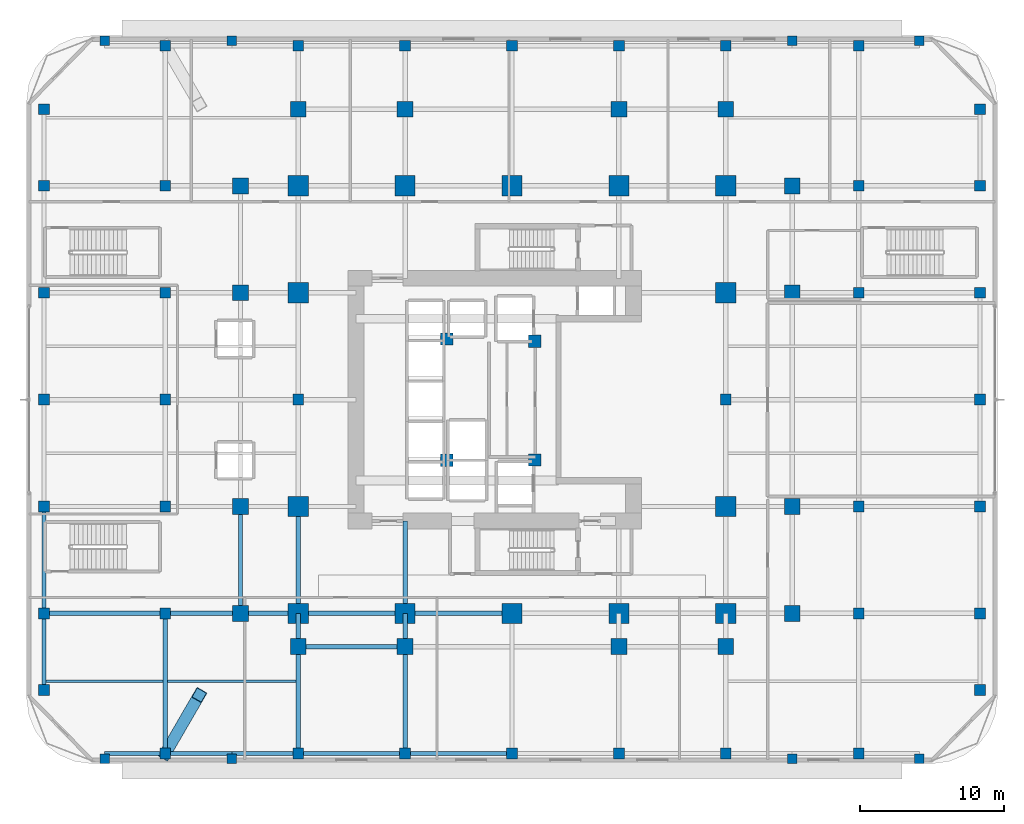
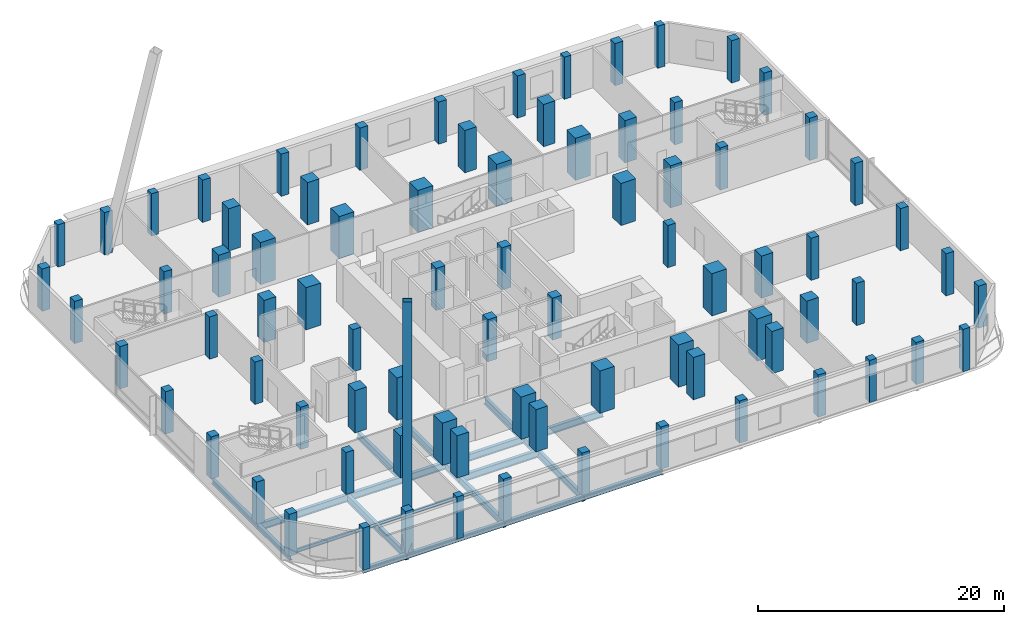
# One storey, part 1 of 19: 81 columns, 23 beams, 1 member.
"""IFC4 building model written with IfcOpenShell, lengths in metres."""

from ifc_helpers import new_model, si_unit, direction, frame, origin, origin_2d, place, context, subcontext, project, spatial, rectangle, hollow_rectangle, i_section, extrude, material, material_profile, profile_set, type_object, element, save


model = new_model("IFC4")

# Units and contexts
model_context = context("Model", 3, precision=1e-05, world=origin(), true_north=direction((0.0, 1.0)))
body_context = subcontext(model_context, "Body", "Model", "MODEL_VIEW")
ifc_project = project(units=[si_unit("LENGTHUNIT", "METRE"), si_unit("AREAUNIT", "SQUARE_METRE"), si_unit("VOLUMEUNIT", "CUBIC_METRE"), si_unit("PLANEANGLEUNIT", "RADIAN"), si_unit("MASSUNIT", "GRAM", prefix="KILO")], contexts=[model_context])

# Site, building, storey
site_placement = place(None, origin())
site = spatial("IfcSite", under=ifc_project, at=site_placement, CompositionType="ELEMENT")
building_placement = place(site_placement, origin())
building = spatial("IfcBuilding", under=site, at=building_placement, Name="Khorvyn Point Tower", CompositionType="ELEMENT")
storey_placement = place(building_placement, frame((0.0, 0.0, 4.800048828125)))
storey = spatial("IfcBuildingStorey", under=building, at=storey_placement, Name="L02", CompositionType="ELEMENT", Elevation=4.800048828125)

# Columns
ifc_material_1 = material(Name="Concrete C40/50", Category="concrete")
ifc_material_profile_1 = material_profile(ifc_material_1, rectangle(XDim=0.75, YDim=0.75, at=origin_2d()))
ifc_profile_set_1 = profile_set([ifc_material_profile_1], Name="Concrete C40/50 RC750x750")
column_type_1 = type_object("IfcColumnType", Name="Concrete C40/50 Column RC750x750", PredefinedType="COLUMN", material=ifc_profile_set_1)
for number, where, z_axis, x_axis, name in (
    (1, (-32.39990234375, -14.800048828125, 0.0), (0.0, 0.0, 1.0), (1.0, 0.0, 0.0), "PC-L02--324--148"),
    (2, (-32.39990234375, -7.39990234375, 0.0), (0.0, 0.0, 1.0), (1.0, 0.0, 0.0), "PC-L02--324--074"),
    (3, (-32.39990234375, 0.0, 0.0), (0.0, 0.0, 1.0), (1.0, 0.0, 0.0), "PC-L02--324-+000"),
    (4, (-32.39990234375, 7.39990234375, 0.0), (0.0, 0.0, 1.0), (1.0, 0.0, 0.0), "PC-L02--324-+074"),
    (5, (-32.39990234375, 14.800048828125, 0.0), (0.0, 0.0, 1.0), (1.0, 0.0, 0.0), "PC-L02--324-+148"),
    (6, (-24.0, -24.5, 0.0), (0.0, 0.0, 1.0), (1.0, 0.0, 0.0), "PC-L02--240--245"),
    (7, (-24.0, -14.800048828125, 0.0), (0.0, 0.0, 1.0), (1.0, 0.0, 0.0), "PC-L02--240--148"),
    (8, (-24.0, -7.39990234375, 0.0), (0.0, 0.0, 1.0), (1.0, 0.0, 0.0), "PC-L02--240--074"),
    (9, (-24.0, 0.0, 0.0), (0.0, 0.0, 1.0), (1.0, 0.0, 0.0), "PC-L02--240-+000"),
    (10, (-24.0, 7.39990234375, 0.0), (0.0, 0.0, 1.0), (1.0, 0.0, 0.0), "PC-L02--240-+074"),
    (11, (-24.0, 14.800048828125, 0.0), (0.0, 0.0, 1.0), (1.0, 0.0, 0.0), "PC-L02--240-+148"),
    (12, (-24.0, 24.5, 0.0), (0.0, 0.0, 1.0), (1.0, 0.0, 0.0), "PC-L02--240-+245"),
    (13, (-14.800048828125, -24.5, 0.0), (0.0, 0.0, 1.0), (1.0, 0.0, 0.0), "PC-L02--148--245"),
    (14, (-14.800048828125, 0.0, 0.0), (0.0, 0.0, 1.0), (1.0, 0.0, 0.0), "PC-L02--148-+000"),
    (15, (-14.800048828125, 24.5, 0.0), (0.0, 0.0, 1.0), (1.0, 0.0, 0.0), "PC-L02--148-+245"),
    (16, (-7.39990234375, -24.5, 0.0), (0.0, 0.0, 1.0), (1.0, 0.0, 0.0), "PC-L02--074--245"),
    (17, (-7.39990234375, 24.5, 0.0), (0.0, 0.0, 1.0), (1.0, 0.0, 0.0), "PC-L02--074-+245"),
    (18, (0.0, -24.5, 0.0), (0.0, 0.0, 1.0), (1.0, 0.0, 0.0), "PC-L02-+000--245"),
    (19, (0.0, 24.5, 0.0), (0.0, 0.0, 1.0), (1.0, 0.0, 0.0), "PC-L02-+000-+245"),
    (20, (7.39990234375, -24.5, 0.0), (0.0, 0.0, 1.0), (1.0, 0.0, 0.0), "PC-L02-+074--245"),
    (21, (7.39990234375, 24.5, 0.0), (0.0, 0.0, 1.0), (1.0, 0.0, 0.0), "PC-L02-+074-+245"),
    (22, (14.800048828125, -24.5, 0.0), (0.0, 0.0, 1.0), (1.0, 0.0, 0.0), "PC-L02-+148--245"),
    (23, (14.800048828125, 0.0, 0.0), (0.0, 0.0, 1.0), (1.0, 0.0, 0.0), "PC-L02-+148-+000"),
    (24, (14.800048828125, 24.5, 0.0), (0.0, 0.0, 1.0), (1.0, 0.0, 0.0), "PC-L02-+148-+245"),
    (25, (24.0, -24.5, 0.0), (0.0, 0.0, 1.0), (1.0, 0.0, 0.0), "PC-L02-+240--245"),
    (26, (24.0, -14.800048828125, 0.0), (0.0, 0.0, 1.0), (1.0, 0.0, 0.0), "PC-L02-+240--148"),
    (27, (24.0, -7.39990234375, 0.0), (0.0, 0.0, 1.0), (1.0, 0.0, 0.0), "PC-L02-+240--074"),
    (28, (24.0, 7.39990234375, 0.0), (0.0, 0.0, 1.0), (1.0, 0.0, 0.0), "PC-L02-+240-+074"),
    (29, (24.0, 14.800048828125, 0.0), (0.0, 0.0, 1.0), (1.0, 0.0, 0.0), "PC-L02-+240-+148"),
    (30, (24.0, 24.5, 0.0), (0.0, 0.0, 1.0), (1.0, 0.0, 0.0), "PC-L02-+240-+245"),
    (31, (32.39990234375, -14.800048828125, 0.0), (0.0, 0.0, 1.0), (1.0, 0.0, 0.0), "PC-L02-+324--148"),
    (32, (32.39990234375, -7.39990234375, 0.0), (0.0, 0.0, 1.0), (1.0, 0.0, 0.0), "PC-L02-+324--074"),
    (33, (32.39990234375, 0.0, 0.0), (0.0, 0.0, 1.0), (1.0, 0.0, 0.0), "PC-L02-+324-+000"),
    (34, (32.39990234375, 7.39990234375, 0.0), (0.0, 0.0, 1.0), (1.0, 0.0, 0.0), "PC-L02-+324-+074"),
    (35, (32.39990234375, 14.800048828125, 0.0), (0.0, 0.0, 1.0), (1.0, 0.0, 0.0), "PC-L02-+324-+148"),
    (36, (-32.39990234375, -20.10009765625, 0.0), (0.0, 0.0, 1.0), (1.0, 0.0, 0.0), "PCR-L02--32--20"),
    (37, (-32.39990234375, 20.10009765625, 0.0), (0.0, 0.0, 1.0), (1.0, 0.0, 0.0), "PCR-L02--32-+20"),
    (38, (32.39990234375, -20.10009765625, 0.0), (0.0, 0.0, 1.0), (1.0, 0.0, 0.0), "PCR-L02-+32--20"),
    (39, (32.39990234375, 20.10009765625, 0.0), (0.0, 0.0, 1.0), (1.0, 0.0, 0.0), "PCR-L02-+32-+20"),
):
    element("IfcColumn", number, at=place(storey_placement, frame(where, z_axis=z_axis, x_axis=x_axis)), inside=storey, type_object=column_type_1, Name=name, PredefinedType="COLUMN", context=body_context, shape_type="SweptSolid", body=[
        extrude(rectangle(XDim=0.75, YDim=0.75, at=origin_2d()), origin(), (0.0, 0.0, 1.0), 4.199951171875),
    ])
ifc_material_profile_2 = material_profile(ifc_material_1, rectangle(XDim=0.85009765625, YDim=0.85009765625, at=origin_2d()))
ifc_profile_set_2 = profile_set([ifc_material_profile_2], Name="Concrete C40/50 RC850x850")
column_type_2 = type_object("IfcColumnType", Name="Concrete C40/50 Column RC850x850", PredefinedType="COLUMN", material=ifc_profile_set_2)
for number, where, z_axis, x_axis, name in (
    (40, (-4.52001953125, -4.199951171875, 0.0), (0.0, 0.0, 1.0), (1.0, 0.0, 0.0), "L02 Crown Core Spine Column 1"),
    (41, (1.580078125, -4.179931640625, 0.0), (0.0, 0.0, 1.0), (1.0, 0.0, 0.0), "L02 Crown Core Spine Column 2"),
    (42, (1.580078125, 4.050048828125, 0.0), (0.0, 0.0, 1.0), (1.0, 0.0, 0.0), "L02 Crown Core Spine Column 3"),
    (43, (-4.52001953125, 4.199951171875, 0.0), (0.0, 0.0, 1.0), (1.0, 0.0, 0.0), "L02 Crown Core Spine Column 4"),
):
    element("IfcColumn", number, at=place(storey_placement, frame(where, z_axis=z_axis, x_axis=x_axis)), inside=storey, type_object=column_type_2, Name=name, PredefinedType="COLUMN", context=body_context, shape_type="SweptSolid", body=[
        extrude(rectangle(XDim=0.85009765625, YDim=0.85009765625, at=origin_2d()), origin(), (0.0, 0.0, 1.0), 4.199951171875),
    ])
ifc_material_profile_3 = material_profile(ifc_material_1, rectangle(XDim=0.64990234375, YDim=0.64990234375, at=origin_2d()))
ifc_profile_set_3 = profile_set([ifc_material_profile_3], Name="Concrete C40/50 RC650x650")
column_type_3 = type_object("IfcColumnType", Name="Concrete C40/50 Pilaster RC650x650", PredefinedType="PILASTER", material=ifc_profile_set_3)
for number, where, z_axis, x_axis, name in (
    (44, (-28.199951171875, -24.85009765625, 0.0), (0.0, 0.0, 1.0), (1.0, 0.0, 0.0), "L02 Colonnade Pilaster S"),
    (45, (-28.199951171875, 24.85009765625, 0.0), (0.0, 0.0, 1.0), (1.0, 0.0, 0.0), "L02 Colonnade Pilaster N"),
    (46, (-19.39990234375, -24.85009765625, 0.0), (0.0, 0.0, 1.0), (1.0, 0.0, 0.0), "L02 Colonnade Pilaster S"),
    (47, (-19.39990234375, 24.85009765625, 0.0), (0.0, 0.0, 1.0), (1.0, 0.0, 0.0), "L02 Colonnade Pilaster N"),
    (48, (19.39990234375, -24.85009765625, 0.0), (0.0, 0.0, 1.0), (1.0, 0.0, 0.0), "L02 Colonnade Pilaster S"),
    (49, (19.39990234375, 24.85009765625, 0.0), (0.0, 0.0, 1.0), (1.0, 0.0, 0.0), "L02 Colonnade Pilaster N"),
    (50, (28.199951171875, -24.85009765625, 0.0), (0.0, 0.0, 1.0), (1.0, 0.0, 0.0), "L02 Colonnade Pilaster S"),
    (51, (28.199951171875, 24.85009765625, 0.0), (0.0, 0.0, 1.0), (1.0, 0.0, 0.0), "L02 Colonnade Pilaster N"),
):
    element("IfcColumn", number, at=place(storey_placement, frame(where, z_axis=z_axis, x_axis=x_axis)), inside=storey, type_object=column_type_3, Name=name, PredefinedType="PILASTER", context=body_context, shape_type="SweptSolid", body=[
        extrude(rectangle(XDim=0.64990234375, YDim=0.64990234375, at=origin_2d()), origin(), (0.0, 0.0, 1.0), 4.199951171875),
    ])
ifc_material_2 = material(Name="Concrete C45/55", Category="concrete")
ifc_material_profile_4 = material_profile(ifc_material_2, rectangle(XDim=1.10009765625, YDim=1.10009765625, at=origin_2d()))
ifc_profile_set_4 = profile_set([ifc_material_profile_4], Name="Concrete C45/55 RC1100x1100")
column_type_4 = type_object("IfcColumnType", Name="Concrete C45/55 Column RC1100x1100", PredefinedType="COLUMN", material=ifc_profile_set_4)
for number, where, z_axis, x_axis, name in (
    (52, (-18.800048828125, -14.800048828125, 0.0), (0.0, 0.0, 1.0), (1.0, 0.0, 0.0), "L02 Intermediate Column ICW--14"),
    (53, (-18.800048828125, -7.39990234375, 0.0), (0.0, 0.0, 1.0), (1.0, 0.0, 0.0), "L02 Intermediate Column ICW--7"),
    (54, (-18.800048828125, 7.39990234375, 0.0), (0.0, 0.0, 1.0), (1.0, 0.0, 0.0), "L02 Intermediate Column ICW-7"),
    (55, (-18.800048828125, 14.800048828125, 0.0), (0.0, 0.0, 1.0), (1.0, 0.0, 0.0), "L02 Intermediate Column ICW-14"),
    (56, (19.39990234375, -14.800048828125, 0.0), (0.0, 0.0, 1.0), (1.0, 0.0, 0.0), "L02 Intermediate Column ICE--14"),
    (57, (19.39990234375, -7.39990234375, 0.0), (0.0, 0.0, 1.0), (1.0, 0.0, 0.0), "L02 Intermediate Column ICE--7"),
    (58, (19.39990234375, 7.39990234375, 0.0), (0.0, 0.0, 1.0), (1.0, 0.0, 0.0), "L02 Intermediate Column ICE-7"),
    (59, (19.39990234375, 14.800048828125, 0.0), (0.0, 0.0, 1.0), (1.0, 0.0, 0.0), "L02 Intermediate Column ICE-14"),
    (60, (-14.800048828125, -17.10009765625, 0.0), (0.0, 0.0, 1.0), (1.0, 0.0, 0.0), "L02 Intermediate Column ICS--14"),
    (61, (-7.39990234375, -17.10009765625, 0.0), (0.0, 0.0, 1.0), (1.0, 0.0, 0.0), "L02 Intermediate Column ICS--7"),
    (62, (7.39990234375, -17.10009765625, 0.0), (0.0, 0.0, 1.0), (1.0, 0.0, 0.0), "L02 Intermediate Column ICS-7"),
    (63, (14.800048828125, -17.10009765625, 0.0), (0.0, 0.0, 1.0), (1.0, 0.0, 0.0), "L02 Intermediate Column ICS-14"),
    (64, (-14.800048828125, 20.10009765625, 0.0), (0.0, 0.0, 1.0), (1.0, 0.0, 0.0), "L02 Intermediate Column ICN--14"),
    (65, (-7.39990234375, 20.10009765625, 0.0), (0.0, 0.0, 1.0), (1.0, 0.0, 0.0), "L02 Intermediate Column ICN--7"),
    (66, (7.39990234375, 20.10009765625, 0.0), (0.0, 0.0, 1.0), (1.0, 0.0, 0.0), "L02 Intermediate Column ICN-7"),
    (67, (14.800048828125, 20.10009765625, 0.0), (0.0, 0.0, 1.0), (1.0, 0.0, 0.0), "L02 Intermediate Column ICN-14"),
):
    element("IfcColumn", number, at=place(storey_placement, frame(where, z_axis=z_axis, x_axis=x_axis)), inside=storey, type_object=column_type_4, Name=name, PredefinedType="COLUMN", context=body_context, shape_type="SweptSolid", body=[
        extrude(rectangle(XDim=1.10009765625, YDim=1.10009765625, at=origin_2d()), origin(), (0.0, 0.0, 1.0), 4.199951171875),
    ])
ifc_material_3 = material(Name="Concrete C50/60", Category="concrete")
ifc_material_profile_5 = material_profile(ifc_material_3, rectangle(XDim=1.39990234375, YDim=1.39990234375, at=origin_2d()))
ifc_profile_set_5 = profile_set([ifc_material_profile_5], Name="Concrete C50/60 RC1400x1400")
column_type_5 = type_object("IfcColumnType", Name="Concrete C50/60 Column RC1400x1400", PredefinedType="COLUMN", material=ifc_profile_set_5)
for number, where, z_axis, x_axis, name in (
    (68, (-14.800048828125, -14.800048828125, 0.0), (0.0, 0.0, 1.0), (1.0, 0.0, 0.0), "L02 Mega-Column MC-01"),
    (69, (-7.39990234375, -14.800048828125, 0.0), (0.0, 0.0, 1.0), (1.0, 0.0, 0.0), "L02 Mega-Column MC-02"),
    (70, (0.0, -14.800048828125, 0.0), (0.0, 0.0, 1.0), (1.0, 0.0, 0.0), "L02 Mega-Column MC-03"),
    (71, (7.39990234375, -14.800048828125, 0.0), (0.0, 0.0, 1.0), (1.0, 0.0, 0.0), "L02 Mega-Column MC-04"),
    (72, (14.800048828125, -14.800048828125, 0.0), (0.0, 0.0, 1.0), (1.0, 0.0, 0.0), "L02 Mega-Column MC-05"),
    (73, (-14.800048828125, 14.800048828125, 0.0), (0.0, 0.0, 1.0), (1.0, 0.0, 0.0), "L02 Mega-Column MC-06"),
    (74, (-7.39990234375, 14.800048828125, 0.0), (0.0, 0.0, 1.0), (1.0, 0.0, 0.0), "L02 Mega-Column MC-07"),
    (75, (0.0, 14.800048828125, 0.0), (0.0, 0.0, 1.0), (1.0, 0.0, 0.0), "L02 Mega-Column MC-08"),
    (76, (7.39990234375, 14.800048828125, 0.0), (0.0, 0.0, 1.0), (1.0, 0.0, 0.0), "L02 Mega-Column MC-09"),
    (77, (14.800048828125, 14.800048828125, 0.0), (0.0, 0.0, 1.0), (1.0, 0.0, 0.0), "L02 Mega-Column MC-10"),
    (78, (-14.800048828125, -7.39990234375, 0.0), (0.0, 0.0, 1.0), (1.0, 0.0, 0.0), "L02 Mega-Column MC-11"),
    (79, (-14.800048828125, 7.39990234375, 0.0), (0.0, 0.0, 1.0), (1.0, 0.0, 0.0), "L02 Mega-Column MC-12"),
    (80, (14.800048828125, -7.39990234375, 0.0), (0.0, 0.0, 1.0), (1.0, 0.0, 0.0), "L02 Mega-Column MC-13"),
    (81, (14.800048828125, 7.39990234375, 0.0), (0.0, 0.0, 1.0), (1.0, 0.0, 0.0), "L02 Mega-Column MC-14"),
):
    element("IfcColumn", number, at=place(storey_placement, frame(where, z_axis=z_axis, x_axis=x_axis)), inside=storey, type_object=column_type_5, Name=name, PredefinedType="COLUMN", context=body_context, shape_type="SweptSolid", body=[
        extrude(rectangle(XDim=1.39990234375, YDim=1.39990234375, at=origin_2d()), origin(), (0.0, 0.0, 1.0), 4.199951171875),
    ])

# Beams
ifc_material_4 = material(Name="Steel S355", Category="steel")
ifc_material_profile_6 = material_profile(ifc_material_4, i_section(OverallWidth=0.300048828125, OverallDepth=0.699951171875, WebThickness=0.012939453125, FlangeThickness=0.02392578125, at=origin_2d()))
ifc_profile_set_6 = profile_set([ifc_material_profile_6], Name="Steel S355 H700x300x13x24")
beam_type_1 = type_object("IfcBeamType", Name="Steel S355 Beam H700x300x13x24", PredefinedType="BEAM", material=ifc_profile_set_6)
beam_1_placement = place(storey_placement, frame((-32.39990234375, -14.800048828125, -0.590087890625), z_axis=(1.0, 0.0, 0.0), x_axis=(0.0, 1.0, 0.0)))
element("IfcBeam", 82, at=beam_1_placement, inside=storey, type_object=beam_type_1, Name="Beam", PredefinedType="BEAM", context=body_context, shape_type="SweptSolid", body=[
    extrude(i_section(OverallWidth=0.300048828125, OverallDepth=0.699951171875, WebThickness=0.012939453125, FlangeThickness=0.02392578125, at=origin_2d()), origin(), (0.0, 0.0, 1.0), 8.39990234375),
])
beam_2_placement = place(storey_placement, frame((-24.0, -14.800048828125, -0.590087890625), z_axis=(1.0, 0.0, 0.0), x_axis=(0.0, 1.0, 0.0)))
element("IfcBeam", 83, at=beam_2_placement, inside=storey, type_object=beam_type_1, Name="Beam", PredefinedType="BEAM", context=body_context, shape_type="SweptSolid", body=[
    extrude(i_section(OverallWidth=0.300048828125, OverallDepth=0.699951171875, WebThickness=0.012939453125, FlangeThickness=0.02392578125, at=origin_2d()), origin(), (0.0, 0.0, 1.0), 5.199951171875),
])
beam_3_placement = place(storey_placement, frame((-18.800048828125, -14.800048828125, -0.590087890625), z_axis=(1.0, 0.0, 0.0), x_axis=(0.0, 1.0, 0.0)))
element("IfcBeam", 84, at=beam_3_placement, inside=storey, type_object=beam_type_1, Name="Beam", PredefinedType="BEAM", context=body_context, shape_type="SweptSolid", body=[
    extrude(i_section(OverallWidth=0.300048828125, OverallDepth=0.699951171875, WebThickness=0.012939453125, FlangeThickness=0.02392578125, at=origin_2d()), origin(), (0.0, 0.0, 1.0), 4.0),
])
beam_4_placement = place(storey_placement, frame((-14.800048828125, -14.800048828125, -0.590087890625), z_axis=(1.0, 0.0, 0.0), x_axis=(0.0, 1.0, 0.0)))
element("IfcBeam", 85, at=beam_4_placement, inside=storey, type_object=beam_type_1, Name="Beam", PredefinedType="BEAM", context=body_context, shape_type="SweptSolid", body=[
    extrude(i_section(OverallWidth=0.300048828125, OverallDepth=0.699951171875, WebThickness=0.012939453125, FlangeThickness=0.02392578125, at=origin_2d()), origin(), (0.0, 0.0, 1.0), 7.400146484375),
])
beam_5_placement = place(storey_placement, frame((-7.39990234375, -14.800048828125, -0.590087890625), z_axis=(1.0, 0.0, 0.0), x_axis=(0.0, 1.0, 0.0)))
element("IfcBeam", 86, at=beam_5_placement, inside=storey, type_object=beam_type_1, Name="Beam", PredefinedType="BEAM", context=body_context, shape_type="SweptSolid", body=[
    extrude(i_section(OverallWidth=0.300048828125, OverallDepth=0.699951171875, WebThickness=0.012939453125, FlangeThickness=0.02392578125, at=origin_2d()), origin(), (0.0, 0.0, 1.0), 7.39990234375),
])
beam_6_placement = place(storey_placement, frame((-14.800048828125, -17.10009765625, -0.590087890625), z_axis=(1.0, 0.0, 0.0), x_axis=(0.0, 1.0, 0.0)))
element("IfcBeam", 87, at=beam_6_placement, inside=storey, type_object=beam_type_1, Name="Beam", PredefinedType="BEAM", context=body_context, shape_type="SweptSolid", body=[
    extrude(i_section(OverallWidth=0.300048828125, OverallDepth=0.699951171875, WebThickness=0.012939453125, FlangeThickness=0.02392578125, at=origin_2d()), origin(), (0.0, 0.0, 1.0), 7.400146484375),
])
beam_7_placement = place(storey_placement, frame((-24.0, -24.5, -0.590087890625), z_axis=(0.0, 1.0, 0.0), x_axis=(-1.0, 0.0, 0.0)))
element("IfcBeam", 88, at=beam_7_placement, inside=storey, type_object=beam_type_1, Name="Beam", PredefinedType="BEAM", context=body_context, shape_type="SweptSolid", body=[
    extrude(i_section(OverallWidth=0.300048828125, OverallDepth=0.699951171875, WebThickness=0.012939453125, FlangeThickness=0.02392578125, at=origin_2d()), origin(), (0.0, 0.0, 1.0), 9.699951171875),
])
beam_8_placement = place(storey_placement, frame((-14.800048828125, -24.5, -0.590087890625), z_axis=(0.0, 1.0, 0.0), x_axis=(-1.0, 0.0, 0.0)))
element("IfcBeam", 89, at=beam_8_placement, inside=storey, type_object=beam_type_1, Name="Beam", PredefinedType="BEAM", context=body_context, shape_type="SweptSolid", body=[
    extrude(i_section(OverallWidth=0.300048828125, OverallDepth=0.699951171875, WebThickness=0.012939453125, FlangeThickness=0.02392578125, at=origin_2d()), origin(), (0.0, 0.0, 1.0), 7.39990234375),
])
beam_9_placement = place(storey_placement, frame((-14.800048828125, -17.10009765625, -0.590087890625), z_axis=(0.0, 1.0, 0.0), x_axis=(-1.0, 0.0, 0.0)))
element("IfcBeam", 90, at=beam_9_placement, inside=storey, type_object=beam_type_1, Name="Beam", PredefinedType="BEAM", context=body_context, shape_type="SweptSolid", body=[
    extrude(i_section(OverallWidth=0.300048828125, OverallDepth=0.699951171875, WebThickness=0.012939453125, FlangeThickness=0.02392578125, at=origin_2d()), origin(), (0.0, 0.0, 1.0), 2.300048828125),
])
beam_10_placement = place(storey_placement, frame((-14.800048828125, -14.800048828125, -0.590087890625), z_axis=(0.0, 1.0, 0.0), x_axis=(-1.0, 0.0, 0.0)))
element("IfcBeam", 91, at=beam_10_placement, inside=storey, type_object=beam_type_1, Name="Beam", PredefinedType="BEAM", context=body_context, shape_type="SweptSolid", body=[
    extrude(i_section(OverallWidth=0.300048828125, OverallDepth=0.699951171875, WebThickness=0.012939453125, FlangeThickness=0.02392578125, at=origin_2d()), origin(), (0.0, 0.0, 1.0), 7.400146484375),
])
beam_11_placement = place(storey_placement, frame((-7.39990234375, -24.5, -0.590087890625), z_axis=(0.0, 1.0, 0.0), x_axis=(-1.0, 0.0, 0.0)))
element("IfcBeam", 92, at=beam_11_placement, inside=storey, type_object=beam_type_1, Name="Beam", PredefinedType="BEAM", context=body_context, shape_type="SweptSolid", body=[
    extrude(i_section(OverallWidth=0.300048828125, OverallDepth=0.699951171875, WebThickness=0.012939453125, FlangeThickness=0.02392578125, at=origin_2d()), origin(), (0.0, 0.0, 1.0), 7.39990234375),
])
beam_12_placement = place(storey_placement, frame((-7.39990234375, -17.10009765625, -0.590087890625), z_axis=(0.0, 1.0, 0.0), x_axis=(-1.0, 0.0, 0.0)))
element("IfcBeam", 93, at=beam_12_placement, inside=storey, type_object=beam_type_1, Name="Beam", PredefinedType="BEAM", context=body_context, shape_type="SweptSolid", body=[
    extrude(i_section(OverallWidth=0.300048828125, OverallDepth=0.699951171875, WebThickness=0.012939453125, FlangeThickness=0.02392578125, at=origin_2d()), origin(), (0.0, 0.0, 1.0), 2.300048828125),
])
beam_13_placement = place(storey_placement, frame((-7.39990234375, -14.800048828125, -0.590087890625), z_axis=(0.0, 1.0, 0.0), x_axis=(-1.0, 0.0, 0.0)))
element("IfcBeam", 94, at=beam_13_placement, inside=storey, type_object=beam_type_1, Name="Beam", PredefinedType="BEAM", context=body_context, shape_type="SweptSolid", body=[
    extrude(i_section(OverallWidth=0.300048828125, OverallDepth=0.699951171875, WebThickness=0.012939453125, FlangeThickness=0.02392578125, at=origin_2d()), origin(), (0.0, 0.0, 1.0), 6.400146484375),
])
beam_14_placement = place(storey_placement, frame((-18.800048828125, -14.800048828125, -0.590087890625), z_axis=(0.0, 1.0, 0.0), x_axis=(-1.0, 0.0, 0.0)))
element("IfcBeam", 95, at=beam_14_placement, inside=storey, type_object=beam_type_1, Name="Beam", PredefinedType="BEAM", context=body_context, shape_type="SweptSolid", body=[
    extrude(i_section(OverallWidth=0.300048828125, OverallDepth=0.699951171875, WebThickness=0.012939453125, FlangeThickness=0.02392578125, at=origin_2d()), origin(), (0.0, 0.0, 1.0), 7.400146484375),
])
ifc_material_profile_7 = material_profile(ifc_material_4, i_section(OverallWidth=0.175048828125, OverallDepth=0.35009765625, WebThickness=0.007080078125, FlangeThickness=0.010986328125, at=origin_2d()))
ifc_profile_set_7 = profile_set([ifc_material_profile_7], Name="Steel S355 H350x175x7x11")
beam_type_2 = type_object("IfcBeamType", Name="Steel S355 Joist H350x175x7x11", PredefinedType="JOIST", material=ifc_profile_set_7)
beam_15_placement = place(storey_placement, frame((-32.25, -19.5, -0.4150390625), z_axis=(1.0, 0.0, 0.0), x_axis=(0.0, 1.0, 0.0)))
element("IfcBeam", 96, at=beam_15_placement, inside=storey, type_object=beam_type_2, Name="Beam", PredefinedType="JOIST", context=body_context, shape_type="SweptSolid", body=[
    extrude(i_section(OverallWidth=0.175048828125, OverallDepth=0.35009765625, WebThickness=0.007080078125, FlangeThickness=0.010986328125, at=origin_2d()), origin(), (0.0, 0.0, 1.0), 8.10009765625),
])
beam_16_placement = place(storey_placement, frame((-23.85009765625, -19.5, -0.4150390625), z_axis=(1.0, 0.0, 0.0), x_axis=(0.0, 1.0, 0.0)))
element("IfcBeam", 97, at=beam_16_placement, inside=storey, type_object=beam_type_2, Name="Beam", PredefinedType="JOIST", context=body_context, shape_type="SweptSolid", body=[
    extrude(i_section(OverallWidth=0.175048828125, OverallDepth=0.35009765625, WebThickness=0.007080078125, FlangeThickness=0.010986328125, at=origin_2d()), origin(), (0.0, 0.0, 1.0), 8.900146484375),
])
ifc_material_profile_8 = material_profile(ifc_material_4, i_section(OverallWidth=0.300048828125, OverallDepth=0.488037109375, WebThickness=0.010986328125, FlangeThickness=0.01806640625, at=origin_2d()))
ifc_profile_set_8 = profile_set([ifc_material_profile_8], Name="Steel S355 H488x300x11x18")
beam_type_3 = type_object("IfcBeamType", Name="Steel S355 Spandrel H488x300x11x18", PredefinedType="SPANDREL", material=ifc_profile_set_8)
beam_17_placement = place(storey_placement, frame((-28.199951171875, -24.5, -0.484130859375), z_axis=(1.0, 0.0, 0.0), x_axis=(0.0, 1.0, 0.0)))
element("IfcBeam", 98, at=beam_17_placement, inside=storey, type_object=beam_type_3, Name="Beam", PredefinedType="SPANDREL", context=body_context, shape_type="SweptSolid", body=[
    extrude(i_section(OverallWidth=0.300048828125, OverallDepth=0.488037109375, WebThickness=0.010986328125, FlangeThickness=0.01806640625, at=origin_2d()), origin(), (0.0, 0.0, 1.0), 4.199951171875),
])
beam_18_placement = place(storey_placement, frame((-24.0, -24.5, -0.484130859375), z_axis=(1.0, 0.0, 0.0), x_axis=(0.0, 1.0, 0.0)))
element("IfcBeam", 99, at=beam_18_placement, inside=storey, type_object=beam_type_3, Name="Beam", PredefinedType="SPANDREL", context=body_context, shape_type="SweptSolid", body=[
    extrude(i_section(OverallWidth=0.300048828125, OverallDepth=0.488037109375, WebThickness=0.010986328125, FlangeThickness=0.01806640625, at=origin_2d()), origin(), (0.0, 0.0, 1.0), 4.60009765625),
])
beam_19_placement = place(storey_placement, frame((-19.39990234375, -24.5, -0.484130859375), z_axis=(1.0, 0.0, 0.0), x_axis=(0.0, 1.0, 0.0)))
element("IfcBeam", 100, at=beam_19_placement, inside=storey, type_object=beam_type_3, Name="Beam", PredefinedType="SPANDREL", context=body_context, shape_type="SweptSolid", body=[
    extrude(i_section(OverallWidth=0.300048828125, OverallDepth=0.488037109375, WebThickness=0.010986328125, FlangeThickness=0.01806640625, at=origin_2d()), origin(), (0.0, 0.0, 1.0), 4.599853515625),
])
beam_20_placement = place(storey_placement, frame((-14.800048828125, -24.5, -0.484130859375), z_axis=(1.0, 0.0, 0.0), x_axis=(0.0, 1.0, 0.0)))
element("IfcBeam", 101, at=beam_20_placement, inside=storey, type_object=beam_type_3, Name="Beam", PredefinedType="SPANDREL", context=body_context, shape_type="SweptSolid", body=[
    extrude(i_section(OverallWidth=0.300048828125, OverallDepth=0.488037109375, WebThickness=0.010986328125, FlangeThickness=0.01806640625, at=origin_2d()), origin(), (0.0, 0.0, 1.0), 7.400146484375),
])
beam_21_placement = place(storey_placement, frame((-7.39990234375, -24.5, -0.484130859375), z_axis=(1.0, 0.0, 0.0), x_axis=(0.0, 1.0, 0.0)))
element("IfcBeam", 102, at=beam_21_placement, inside=storey, type_object=beam_type_3, Name="Beam", PredefinedType="SPANDREL", context=body_context, shape_type="SweptSolid", body=[
    extrude(i_section(OverallWidth=0.300048828125, OverallDepth=0.488037109375, WebThickness=0.010986328125, FlangeThickness=0.01806640625, at=origin_2d()), origin(), (0.0, 0.0, 1.0), 7.39990234375),
])
beam_22_placement = place(storey_placement, frame((-32.39990234375, -20.10009765625, -0.484130859375), z_axis=(0.0, 1.0, 0.0), x_axis=(-1.0, 0.0, 0.0)))
element("IfcBeam", 103, at=beam_22_placement, inside=storey, type_object=beam_type_3, Name="Beam", PredefinedType="SPANDREL", context=body_context, shape_type="SweptSolid", body=[
    extrude(i_section(OverallWidth=0.300048828125, OverallDepth=0.488037109375, WebThickness=0.010986328125, FlangeThickness=0.01806640625, at=origin_2d()), origin(), (0.0, 0.0, 1.0), 5.300048828125),
])
beam_23_placement = place(storey_placement, frame((-32.39990234375, -14.800048828125, -0.484130859375), z_axis=(0.0, 1.0, 0.0), x_axis=(-1.0, 0.0, 0.0)))
element("IfcBeam", 104, at=beam_23_placement, inside=storey, type_object=beam_type_3, Name="Beam", PredefinedType="SPANDREL", context=body_context, shape_type="SweptSolid", body=[
    extrude(i_section(OverallWidth=0.300048828125, OverallDepth=0.488037109375, WebThickness=0.010986328125, FlangeThickness=0.01806640625, at=origin_2d()), origin(), (0.0, 0.0, 1.0), 7.400146484375),
])

# Member
ifc_material_5 = material(Name="Steel S450", Category="steel")
ifc_material_profile_9 = material_profile(ifc_material_5, hollow_rectangle(XDim=0.800048828125, YDim=0.800048828125, WallThickness=0.035888671875, at=origin_2d()))
ifc_profile_set_9 = profile_set([ifc_material_profile_9], Name="Steel S450 BOX800x800x36")
member_type = type_object("IfcMemberType", Name="Steel S450 Exoskeleton Structural Post BOX800x800x36", PredefinedType="POST", material=ifc_profile_set_9)
member_placement = place(storey_placement, frame((-24.0, -24.5, 0.0), z_axis=(0.10633169244, 0.18324708559, 0.977299379313), x_axis=(-0.864932060113, 0.501888963207, 0.0)))
element("IfcMember", 105, at=member_placement, inside=storey, type_object=member_type, Name="L02 to L07 Exoskeleton Transfer Post 05", PredefinedType="POST", context=body_context, shape_type="SweptSolid", body=[
    extrude(hollow_rectangle(XDim=0.800048828125, YDim=0.800048828125, WallThickness=0.035888671875, at=origin_2d()), origin(), (0.0, 0.0, 1.0), 22.1015625),
])

save(model, "model.ifc")
